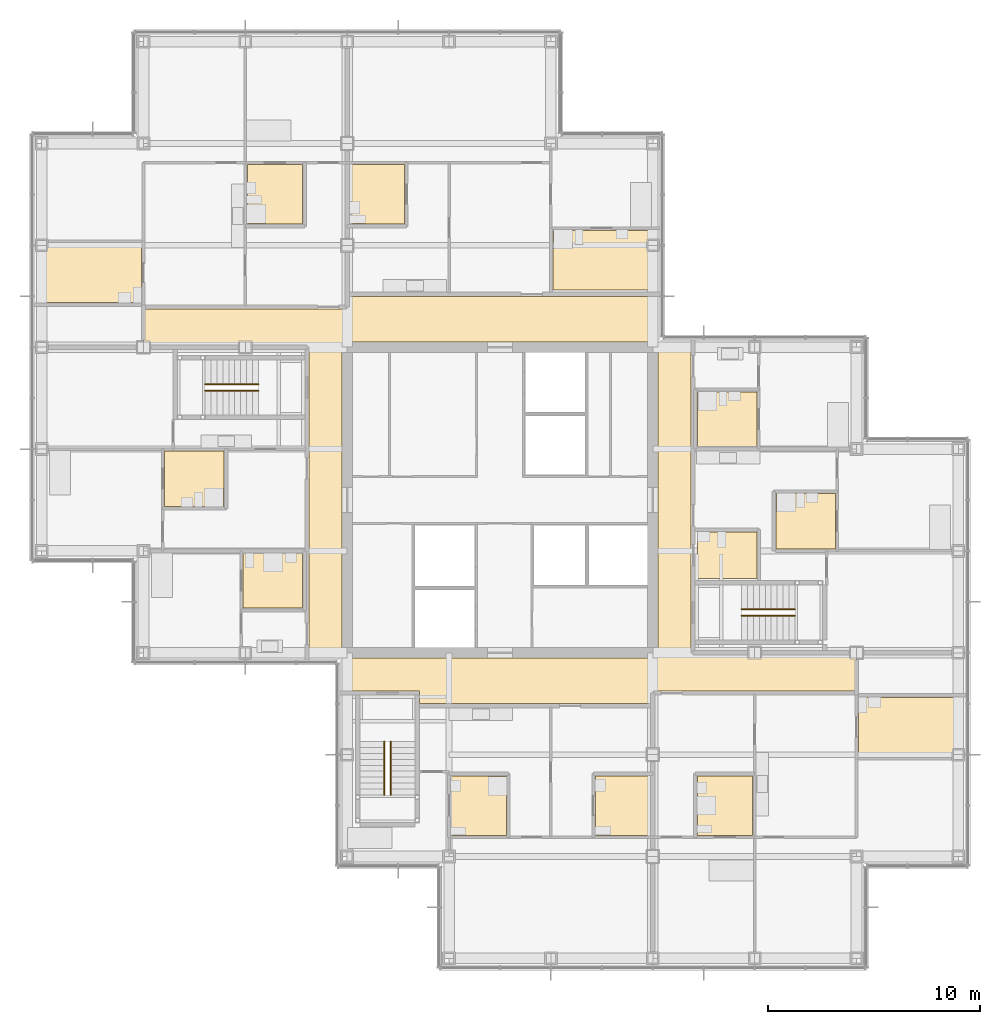
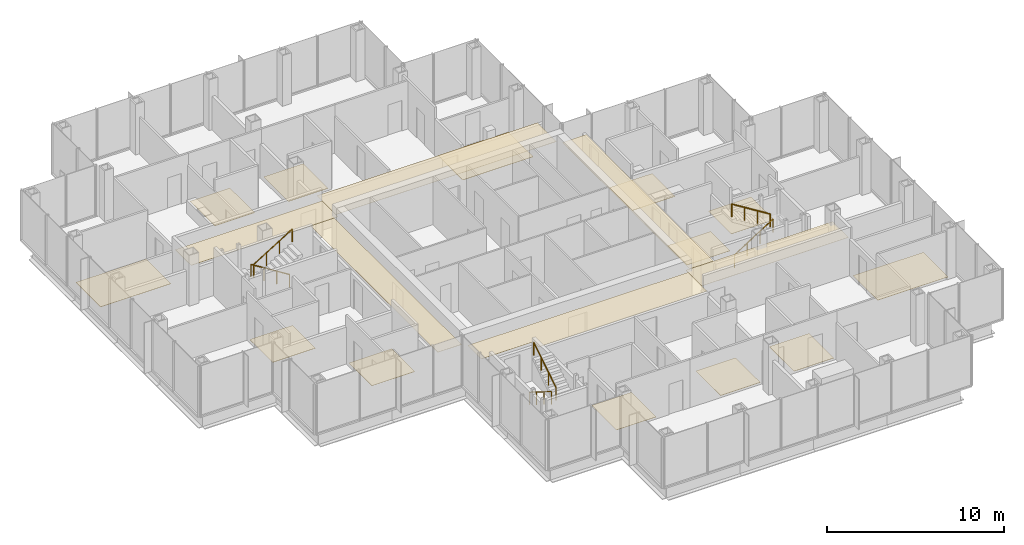
# One storey, part 17 of 19: 19 coverings, 6 railings.
"""IFC4 building model written with IfcOpenShell, lengths in metres."""

from ifc_helpers import new_model, si_unit, direction, frame, origin, origin_2d, place, context, subcontext, project, spatial, polyline, circle, outline, extrude, material, layer, layer_set, type_object, element, save


model = new_model("IFC4")

# Units and contexts
model_context = context("Model", 3, precision=1e-05, world=origin(), true_north=direction((0.0, 1.0)))
body_context = subcontext(model_context, "Body", "Model", "MODEL_VIEW")
ifc_project = project(units=[si_unit("LENGTHUNIT", "METRE"), si_unit("AREAUNIT", "SQUARE_METRE"), si_unit("VOLUMEUNIT", "CUBIC_METRE"), si_unit("PLANEANGLEUNIT", "RADIAN"), si_unit("MASSUNIT", "GRAM", prefix="KILO")], contexts=[model_context])

# Site, building, storey
site_placement = place(None, origin())
site = spatial("IfcSite", under=ifc_project, at=site_placement, CompositionType="ELEMENT")
building_placement = place(site_placement, origin())
building = spatial("IfcBuilding", under=site, at=building_placement, Name="Kvirike Care Tower", CompositionType="ELEMENT")
storey_placement = place(building_placement, frame((0.0, 0.0, 129.5)))
storey = spatial("IfcBuildingStorey", under=building, at=storey_placement, Name="L35", CompositionType="ELEMENT", Elevation=129.5)

# Coverings
ifc_material_1 = material(Name="Perforated metal ceiling tile", Category="aluminium")
ifc_layer_1 = layer(ifc_material_1, 0.014892578125)
ifc_layer_set_1 = layer_set([ifc_layer_1], Name="CORRIDOR CEILING 15")
covering_type_1 = type_object("IfcCoveringType", Name="CORRIDOR CEILING 15", PredefinedType="CEILING", material=ifc_layer_set_1)
covering_1_placement = place(storey_placement, frame((0.0, 0.0, 2.5)))
element("IfcCovering", 1, at=covering_1_placement, inside=storey, type_object=covering_type_1, Name="Corridor ceiling L35", PredefinedType="CEILING", context=body_context, shape_type="SweptSolid", body=[
    extrude(outline(polyline([(12.60009765625, 43.199951171875), (14.14990234375, 43.199951171875), (14.14990234375, 28.800048828125), (12.60009765625, 28.800048828125), (12.60009765625, 43.199951171875)])), origin(), (0.0, 0.0, 1.0), 0.014892578125),
])
covering_2_placement = place(storey_placement, frame((0.0, 0.0, 2.5)))
element("IfcCovering", 2, at=covering_2_placement, inside=storey, type_object=covering_type_1, Name="Corridor ceiling L35", PredefinedType="CEILING", context=body_context, shape_type="SweptSolid", body=[
    extrude(outline(polyline([(14.39990234375, 45.0), (14.39990234375, 43.199951171875), (4.800048828125, 43.199951171875), (4.800048828125, 45.0), (14.39990234375, 45.0)])), origin(), (0.0, 0.0, 1.0), 0.014892578125),
])
covering_3_placement = place(storey_placement, frame((0.0, 0.0, 2.5)))
element("IfcCovering", 3, at=covering_3_placement, inside=storey, type_object=covering_type_1, Name="Corridor ceiling L35", PredefinedType="CEILING", context=body_context, shape_type="SweptSolid", body=[
    extrude(outline(polyline([(14.39990234375, 28.550048828125), (28.800048828125, 28.550048828125), (28.800048828125, 26.39990234375), (17.800048828125, 26.39990234375), (17.800048828125, 27.0), (14.39990234375, 27.0), (14.39990234375, 28.550048828125)])), origin(), (0.0, 0.0, 1.0), 0.014892578125),
])
covering_4_placement = place(storey_placement, frame((0.0, 0.0, 2.5)))
element("IfcCovering", 4, at=covering_4_placement, inside=storey, type_object=covering_type_1, Name="Corridor ceiling L35", PredefinedType="CEILING", context=body_context, shape_type="SweptSolid", body=[
    extrude(outline(polyline([(28.800048828125, 45.60009765625), (28.800048828125, 43.449951171875), (14.39990234375, 43.449951171875), (14.39990234375, 45.60009765625), (28.800048828125, 45.60009765625)])), origin(), (0.0, 0.0, 1.0), 0.014892578125),
])
covering_5_placement = place(storey_placement, frame((0.0, 0.0, 2.5)))
element("IfcCovering", 5, at=covering_5_placement, inside=storey, type_object=covering_type_1, Name="Corridor ceiling L35", PredefinedType="CEILING", context=body_context, shape_type="SweptSolid", body=[
    extrude(outline(polyline([(28.800048828125, 27.0), (28.800048828125, 28.800048828125), (38.39990234375, 28.800048828125), (38.39990234375, 27.0), (28.800048828125, 27.0)])), origin(), (0.0, 0.0, 1.0), 0.014892578125),
])
covering_6_placement = place(storey_placement, frame((0.0, 0.0, 2.5)))
element("IfcCovering", 6, at=covering_6_placement, inside=storey, type_object=covering_type_1, Name="Corridor ceiling L35", PredefinedType="CEILING", context=body_context, shape_type="SweptSolid", body=[
    extrude(outline(polyline([(30.60009765625, 28.800048828125), (29.050048828125, 28.800048828125), (29.050048828125, 43.199951171875), (30.60009765625, 43.199951171875), (30.60009765625, 28.800048828125)])), origin(), (0.0, 0.0, 1.0), 0.014892578125),
])

# Railings
ifc_material_2 = material(Name="Stainless steel handrail", Category="steel")
railing_type = type_object("IfcRailingType", Name="STAIR HANDRAIL 900", PredefinedType="HANDRAIL", material=ifc_material_2)
railing_1_placement = place(storey_placement, frame((10.219970703125, 41.449951171875, 0.175048828125)))
element("IfcRailing", 7, at=railing_1_placement, inside=storey, type_object=railing_type, Name="Stair 1 handrail L35 flight 1", PredefinedType="HANDRAIL", context=body_context, shape_type="SweptSolid", body=[
    extrude(circle(Radius=0.02490234375, at=origin_2d()), frame((0.0, 0.0, 0.875), z_axis=(-0.848007534815, 0.0, 0.529984170421), x_axis=(0.0, -1.0, 0.0)), (0.0, 0.0, 1.0), 2.9716796875),
    extrude(circle(Radius=0.02001953125, at=origin_2d()), origin(), (0.0, 0.0, 1.0), 0.849853515625),
    extrude(circle(Radius=0.02001953125, at=origin_2d()), frame((-0.840087890625, 0.0, 0.52490234375)), (0.0, 0.0, 1.0), 0.849853515625),
    extrude(circle(Radius=0.02001953125, at=origin_2d()), frame((-1.679931640625, 0.0, 1.050048828125)), (0.0, 0.0, 1.0), 0.849853515625),
    extrude(circle(Radius=0.02001953125, at=origin_2d()), frame((-2.52001953125, 0.0, 1.574951171875)), (0.0, 0.0, 1.0), 0.849853515625),
])
for number, where, name in (
    (8, (7.699951171875, 41.14990234375, 1.925048828125), "Stair 1 handrail L35 flight 2"),
    (9, (32.97998046875, 30.550048828125, 0.175048828125), "Stair 2 handrail L35 flight 1"),
):
    element("IfcRailing", number, at=place(storey_placement, frame(where)), inside=storey, type_object=railing_type, Name=name, PredefinedType="HANDRAIL", context=body_context, shape_type="SweptSolid", body=[
        extrude(circle(Radius=0.02490234375, at=origin_2d()), frame((0.0, 0.0, 0.875), z_axis=(0.848007534815, 0.0, 0.529984170421), x_axis=(0.0, 1.0, 0.0)), (0.0, 0.0, 1.0), 2.9716796875),
        extrude(circle(Radius=0.02001953125, at=origin_2d()), origin(), (0.0, 0.0, 1.0), 0.849853515625),
        extrude(circle(Radius=0.02001953125, at=origin_2d()), frame((0.840087890625, 0.0, 0.52490234375)), (0.0, 0.0, 1.0), 0.849853515625),
        extrude(circle(Radius=0.02001953125, at=origin_2d()), frame((1.679931640625, 0.0, 1.050048828125)), (0.0, 0.0, 1.0), 0.849853515625),
        extrude(circle(Radius=0.02001953125, at=origin_2d()), frame((2.52001953125, 0.0, 1.574951171875)), (0.0, 0.0, 1.0), 0.849853515625),
    ])
railing_2_placement = place(storey_placement, frame((35.5, 30.85009765625, 1.925048828125)))
element("IfcRailing", 10, at=railing_2_placement, inside=storey, type_object=railing_type, Name="Stair 2 handrail L35 flight 2", PredefinedType="HANDRAIL", context=body_context, shape_type="SweptSolid", body=[
    extrude(circle(Radius=0.02490234375, at=origin_2d()), frame((0.0, 0.0, 0.875), z_axis=(-0.848007534815, 0.0, 0.529984170421), x_axis=(0.0, -1.0, 0.0)), (0.0, 0.0, 1.0), 2.9716796875),
    extrude(circle(Radius=0.02001953125, at=origin_2d()), origin(), (0.0, 0.0, 1.0), 0.849853515625),
    extrude(circle(Radius=0.02001953125, at=origin_2d()), frame((-0.840087890625, 0.0, 0.52490234375)), (0.0, 0.0, 1.0), 0.849853515625),
    extrude(circle(Radius=0.02001953125, at=origin_2d()), frame((-1.679931640625, 0.0, 1.050048828125)), (0.0, 0.0, 1.0), 0.849853515625),
    extrude(circle(Radius=0.02001953125, at=origin_2d()), frame((-2.52001953125, 0.0, 1.574951171875)), (0.0, 0.0, 1.0), 0.849853515625),
])
railing_3_placement = place(storey_placement, frame((16.14990234375, 24.6201171875, 0.175048828125)))
element("IfcRailing", 11, at=railing_3_placement, inside=storey, type_object=railing_type, Name="Stair 5 handrail L35 flight 1", PredefinedType="HANDRAIL", context=body_context, shape_type="SweptSolid", body=[
    extrude(circle(Radius=0.02490234375, at=origin_2d()), frame((0.0, 0.0, 0.875), z_axis=(0.0, -0.848007534815, 0.529984170421), x_axis=(1.0, 0.0, 0.0)), (0.0, 0.0, 1.0), 2.9716796875),
    extrude(circle(Radius=0.02001953125, at=origin_2d()), origin(), (0.0, 0.0, 1.0), 0.849853515625),
    extrude(circle(Radius=0.02001953125, at=origin_2d()), frame((0.0, -0.840087890625, 0.52490234375)), (0.0, 0.0, 1.0), 0.849853515625),
    extrude(circle(Radius=0.02001953125, at=origin_2d()), frame((0.0, -1.679931640625, 1.050048828125)), (0.0, 0.0, 1.0), 0.849853515625),
    extrude(circle(Radius=0.02001953125, at=origin_2d()), frame((0.0, -2.52001953125, 1.574951171875)), (0.0, 0.0, 1.0), 0.849853515625),
])
railing_4_placement = place(storey_placement, frame((16.449951171875, 22.10009765625, 1.925048828125)))
element("IfcRailing", 12, at=railing_4_placement, inside=storey, type_object=railing_type, Name="Stair 5 handrail L35 flight 2", PredefinedType="HANDRAIL", context=body_context, shape_type="SweptSolid", body=[
    extrude(circle(Radius=0.02490234375, at=origin_2d()), frame((0.0, 0.0, 0.875), z_axis=(0.0, 0.848007534815, 0.529984170421), x_axis=(-1.0, 0.0, 0.0)), (0.0, 0.0, 1.0), 2.9716796875),
    extrude(circle(Radius=0.02001953125, at=origin_2d()), origin(), (0.0, 0.0, 1.0), 0.849853515625),
    extrude(circle(Radius=0.02001953125, at=origin_2d()), frame((0.0, 0.840087890625, 0.52490234375)), (0.0, 0.0, 1.0), 0.849853515625),
    extrude(circle(Radius=0.02001953125, at=origin_2d()), frame((0.0, 1.679931640625, 1.050048828125)), (0.0, 0.0, 1.0), 0.849853515625),
    extrude(circle(Radius=0.02001953125, at=origin_2d()), frame((0.0, 2.52001953125, 1.574951171875)), (0.0, 0.0, 1.0), 0.849853515625),
])

# Coverings
ifc_material_3 = material(Name="Slip-resistant vinyl safety flooring on screed")
ifc_layer_2 = layer(ifc_material_3, 0.02001953125)
ifc_layer_set_2 = layer_set([ifc_layer_2], Name="WET ROOM FLOOR 20")
covering_type_2 = type_object("IfcCoveringType", Name="WET ROOM FLOOR 20", PredefinedType="FLOORING", material=ifc_layer_set_2)
covering_7_placement = place(storey_placement, origin())
element("IfcCovering", 13, at=covering_7_placement, inside=storey, type_object=covering_type_2, Name="En-suite floor L35-005", PredefinedType="FLOORING", context=body_context, shape_type="SweptSolid", body=[
    extrude(outline(polyline([(5.800048828125, 38.300048828125), (8.60009765625, 38.300048828125), (8.60009765625, 35.699951171875), (5.800048828125, 35.699951171875), (5.800048828125, 38.300048828125)])), origin(), (0.0, 0.0, 1.0), 0.02001953125),
])
covering_8_placement = place(storey_placement, origin())
element("IfcCovering", 14, at=covering_8_placement, inside=storey, type_object=covering_type_2, Name="En-suite floor L35-009", PredefinedType="FLOORING", context=body_context, shape_type="SweptSolid", body=[
    extrude(outline(polyline([(9.5, 33.5), (12.300048828125, 33.5), (12.300048828125, 30.89990234375), (9.5, 30.89990234375), (9.5, 33.5)])), origin(), (0.0, 0.0, 1.0), 0.02001953125),
])
covering_9_placement = place(storey_placement, origin())
element("IfcCovering", 15, at=covering_9_placement, inside=storey, type_object=covering_type_2, Name="En-suite floor L35-014", PredefinedType="FLOORING", context=body_context, shape_type="SweptSolid", body=[
    extrude(outline(polyline([(12.300048828125, 51.800048828125), (12.300048828125, 49.0), (9.699951171875, 49.0), (9.699951171875, 51.800048828125), (12.300048828125, 51.800048828125)])), origin(), (0.0, 0.0, 1.0), 0.02001953125),
])
covering_10_placement = place(storey_placement, origin())
element("IfcCovering", 16, at=covering_10_placement, inside=storey, type_object=covering_type_2, Name="Accessible WC floor L35-015", PredefinedType="FLOORING", context=body_context, shape_type="SweptSolid", body=[
    extrude(outline(polyline([(4.699951171875, 48.10009765625), (4.699951171875, 45.300048828125), (0.10009765625, 45.300048828125), (0.10009765625, 48.10009765625), (4.699951171875, 48.10009765625)])), origin(), (0.0, 0.0, 1.0), 0.02001953125),
])
covering_11_placement = place(storey_placement, origin())
element("IfcCovering", 17, at=covering_11_placement, inside=storey, type_object=covering_type_2, Name="Accessible WC floor L35-022", PredefinedType="FLOORING", context=body_context, shape_type="SweptSolid", body=[
    extrude(outline(polyline([(26.10009765625, 20.199951171875), (26.10009765625, 23.0), (28.699951171875, 23.0), (28.699951171875, 20.199951171875), (26.10009765625, 20.199951171875)])), origin(), (0.0, 0.0, 1.0), 0.02001953125),
])
covering_12_placement = place(storey_placement, origin())
element("IfcCovering", 18, at=covering_12_placement, inside=storey, type_object=covering_type_2, Name="En-suite floor L35-023", PredefinedType="FLOORING", context=body_context, shape_type="SweptSolid", body=[
    extrude(outline(polyline([(19.300048828125, 20.199951171875), (19.300048828125, 23.0), (21.89990234375, 23.0), (21.89990234375, 20.199951171875), (19.300048828125, 20.199951171875)])), origin(), (0.0, 0.0, 1.0), 0.02001953125),
])
covering_13_placement = place(storey_placement, origin())
element("IfcCovering", 19, at=covering_13_placement, inside=storey, type_object=covering_type_2, Name="En-suite floor L35-029", PredefinedType="FLOORING", context=body_context, shape_type="SweptSolid", body=[
    extrude(outline(polyline([(28.699951171875, 48.699951171875), (28.699951171875, 45.89990234375), (24.10009765625, 45.89990234375), (24.10009765625, 48.699951171875), (28.699951171875, 48.699951171875)])), origin(), (0.0, 0.0, 1.0), 0.02001953125),
])
covering_14_placement = place(storey_placement, origin())
element("IfcCovering", 20, at=covering_14_placement, inside=storey, type_object=covering_type_2, Name="Accessible WC floor L35-030", PredefinedType="FLOORING", context=body_context, shape_type="SweptSolid", body=[
    extrude(outline(polyline([(17.10009765625, 51.800048828125), (17.10009765625, 49.0), (14.5, 49.0), (14.5, 51.800048828125), (17.10009765625, 51.800048828125)])), origin(), (0.0, 0.0, 1.0), 0.02001953125),
])
covering_15_placement = place(storey_placement, origin())
element("IfcCovering", 21, at=covering_15_placement, inside=storey, type_object=covering_type_2, Name="En-suite floor L35-036", PredefinedType="FLOORING", context=body_context, shape_type="SweptSolid", body=[
    extrude(outline(polyline([(30.89990234375, 20.199951171875), (30.89990234375, 23.0), (33.5, 23.0), (33.5, 20.199951171875), (30.89990234375, 20.199951171875)])), origin(), (0.0, 0.0, 1.0), 0.02001953125),
])
covering_16_placement = place(storey_placement, origin())
element("IfcCovering", 22, at=covering_16_placement, inside=storey, type_object=covering_type_2, Name="Accessible WC floor L35-037", PredefinedType="FLOORING", context=body_context, shape_type="SweptSolid", body=[
    extrude(outline(polyline([(38.5, 23.89990234375), (38.5, 26.699951171875), (43.10009765625, 26.699951171875), (43.10009765625, 23.89990234375), (38.5, 23.89990234375)])), origin(), (0.0, 0.0, 1.0), 0.02001953125),
])
covering_17_placement = place(storey_placement, origin())
element("IfcCovering", 23, at=covering_17_placement, inside=storey, type_object=covering_type_2, Name="Accessible WC floor L35-044", PredefinedType="FLOORING", context=body_context, shape_type="SweptSolid", body=[
    extrude(outline(polyline([(33.699951171875, 32.300048828125), (30.89990234375, 32.300048828125), (30.89990234375, 34.5), (33.699951171875, 34.5), (33.699951171875, 32.300048828125)])), origin(), (0.0, 0.0, 1.0), 0.02001953125),
])
covering_18_placement = place(storey_placement, origin())
element("IfcCovering", 24, at=covering_18_placement, inside=storey, type_object=covering_type_2, Name="En-suite floor L35-045", PredefinedType="FLOORING", context=body_context, shape_type="SweptSolid", body=[
    extrude(outline(polyline([(37.39990234375, 33.699951171875), (34.60009765625, 33.699951171875), (34.60009765625, 36.300048828125), (37.39990234375, 36.300048828125), (37.39990234375, 33.699951171875)])), origin(), (0.0, 0.0, 1.0), 0.02001953125),
])
covering_19_placement = place(storey_placement, origin())
element("IfcCovering", 25, at=covering_19_placement, inside=storey, type_object=covering_type_2, Name="En-suite floor L35-048", PredefinedType="FLOORING", context=body_context, shape_type="SweptSolid", body=[
    extrude(outline(polyline([(33.699951171875, 38.5), (30.89990234375, 38.5), (30.89990234375, 41.10009765625), (33.699951171875, 41.10009765625), (33.699951171875, 38.5)])), origin(), (0.0, 0.0, 1.0), 0.02001953125),
])

save(model, "model.ifc")
